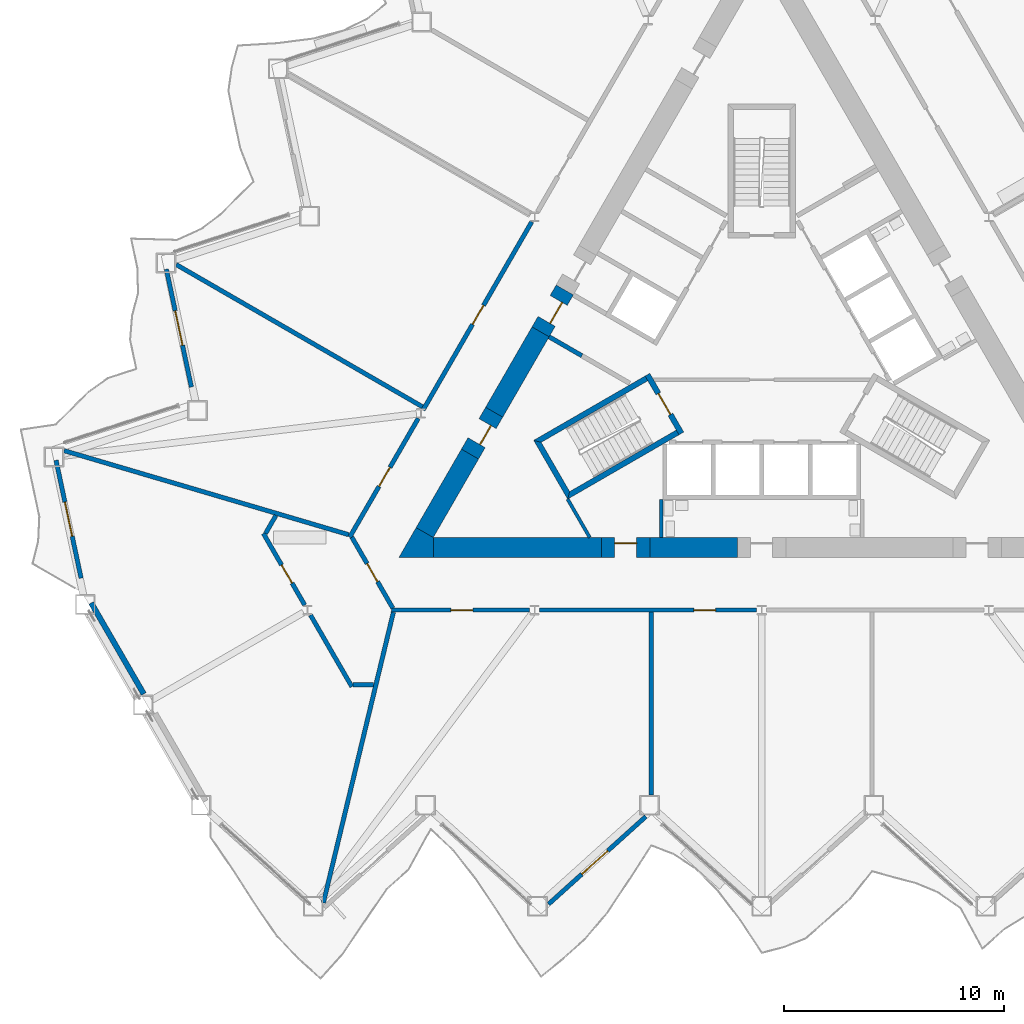
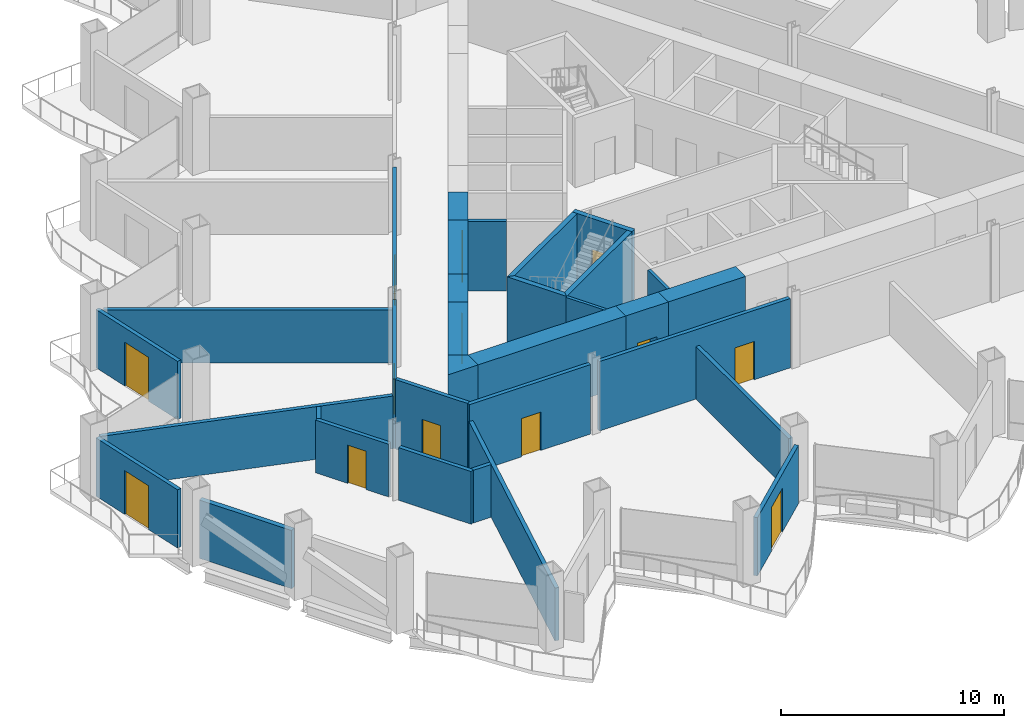
# One storey, part 10 of 21: 32 walls, 13 doors, 13 openings.
"""IFC4 building model written with IfcOpenShell, lengths in metres."""

from ifc_helpers import new_model, si_unit, direction, frame, frame_2d, origin, place, context, subcontext, project, spatial, polyline, rectangle, outline, extrude, material, layer, layer_set, type_object, element, fill, save


model = new_model("IFC4")

# Units and contexts
model_context = context("Model", 3, precision=1e-05, world=origin(), true_north=direction((0.0, 1.0)))
body_context = subcontext(model_context, "Body", "Model", "MODEL_VIEW")
ifc_project = project(units=[si_unit("LENGTHUNIT", "METRE"), si_unit("AREAUNIT", "SQUARE_METRE"), si_unit("VOLUMEUNIT", "CUBIC_METRE"), si_unit("PLANEANGLEUNIT", "RADIAN"), si_unit("MASSUNIT", "GRAM", prefix="KILO")], contexts=[model_context])

# Site, building, storey
site_placement = place(None, origin())
site = spatial("IfcSite", under=ifc_project, at=site_placement, CompositionType="ELEMENT")
building_placement = place(site_placement, origin())
building = spatial("IfcBuilding", under=site, at=building_placement, Name="Cormorant Prow Tower", CompositionType="ELEMENT")
storey_placement = place(building_placement, frame((0.0, 0.0, 116.39990234375)))
storey = spatial("IfcBuildingStorey", under=building, at=storey_placement, Name="L24", CompositionType="ELEMENT", Elevation=116.39990234375)

# Walls
ifc_material_1 = material(Name="Gypsum board partition")
ifc_layer_1 = layer(ifc_material_1, 0.14990234375)
ifc_layer_set_1 = layer_set([ifc_layer_1], Name="Gypsum board partition")
wall_type_1 = type_object("IfcWallType", Name="Core partition 150", PredefinedType="PARTITIONING", material=ifc_layer_set_1)
wall_1_placement = place(storey_placement, frame((-4.574951171875, -6.906005859375, 0.0), z_axis=(0.0, 0.0, 1.0), x_axis=(0.0, -1.0, 0.0)))
element("IfcWall", 1, at=wall_1_placement, inside=storey, type_object=wall_type_1, Name="Service room partition", PredefinedType="PARTITIONING", context=body_context, shape_type="SweptSolid", body=[
    extrude(rectangle(XDim=1.72021484375, YDim=0.14990234375, at=frame_2d((0.860107421875, 0.0))), origin(), (0.0, 0.0, 1.0), 3.800048828125),
])
wall_2_placement = place(storey_placement, frame((-8.82958984375, -6.880615234375, 0.0), z_axis=(0.0, 0.0, 1.0), x_axis=(0.500085890408, -0.865975809255, 0.0)))
element("IfcWall", 2, at=wall_2_placement, inside=storey, type_object=wall_type_1, Name="Service room partition", PredefinedType="PARTITIONING", context=body_context, shape_type="SweptSolid", body=[
    extrude(rectangle(XDim=2.015869140625, YDim=0.14990234375, at=frame_2d((1.0078125, 0.0))), origin(), (0.0, 0.0, 1.0), 3.800048828125),
])
ifc_material_2 = material(Name="Concrete 8000 psi", Category="concrete")
ifc_layer_2 = layer(ifc_material_2, 0.89990234375)
ifc_layer_set_2 = layer_set([ifc_layer_2], Name="Concrete 8000 psi")
wall_type_2 = type_object("IfcWallType", Name="Core shear wall 900", PredefinedType="SHEAR", material=ifc_layer_set_2)
wall_3_placement = place(storey_placement, frame((-14.941162109375, -9.076416015625, 0.0), z_axis=(0.0, 0.0, 1.0), x_axis=(1.0, 0.0, 0.0)))
element("IfcWall", 3, at=wall_3_placement, inside=storey, type_object=wall_type_2, Name="Core wall", PredefinedType="SHEAR", context=body_context, shape_type="SweptSolid", body=[
    extrude(rectangle(XDim=7.648681640625, YDim=0.89990234375, at=frame_2d((3.82421875, 0.0))), origin(), (0.0, 0.0, 1.0), 3.800048828125),
])
wall_4_placement = place(storey_placement, frame((-5.092529296875, -9.076416015625, 0.0), z_axis=(0.0, 0.0, 1.0), x_axis=(1.0, 0.0, 0.0)))
element("IfcWall", 4, at=wall_4_placement, inside=storey, type_object=wall_type_2, Name="Core wall", PredefinedType="SHEAR", context=body_context, shape_type="SweptSolid", body=[
    extrude(rectangle(XDim=3.992431640625, YDim=0.89990234375, at=frame_2d((1.99609375, 0.0))), origin(), (0.0, 0.0, 1.0), 3.800048828125),
])
wall_5_placement = place(storey_placement, frame((-10.060302734375, 0.7275390625, 0.0), z_axis=(0.0, 0.0, 1.0), x_axis=(-0.500021220092, -0.866013152012, 0.0)))
element("IfcWall", 5, at=wall_5_placement, inside=storey, type_object=wall_type_2, Name="Core wall", PredefinedType="SHEAR", context=body_context, shape_type="SweptSolid", body=[
    extrude(rectangle(XDim=4.220458984375, YDim=0.89990234375, at=frame_2d((2.1103515625, 0.0))), origin(), (0.0, 0.0, 1.0), 3.800048828125),
])
wall_6_placement = place(storey_placement, frame((-13.2705078125, -4.832763671875, 0.0), z_axis=(0.0, 0.0, 1.0), x_axis=(-0.499994272862, -0.866028710324, 0.0)))
element("IfcWall", 6, at=wall_6_placement, inside=storey, type_object=wall_type_2, Name="Core wall", PredefinedType="SHEAR", context=body_context, shape_type="SweptSolid", body=[
    extrude(rectangle(XDim=4.12060546875, YDim=0.89990234375, at=frame_2d((2.060302734375, 0.0))), origin(), (0.0, 0.0, 1.0), 3.800048828125),
])
wall_7_placement = place(storey_placement, origin())
element("IfcWall", 7, at=wall_7_placement, inside=storey, type_object=wall_type_2, Name="Core wall corner", PredefinedType="SHEAR", context=body_context, shape_type="SweptSolid", body=[
    extrude(outline(polyline([(-14.941162109375, -8.626220703125), (-14.941162109375, -9.5263671875), (-16.5, -9.5263671875), (-15.720703125, -8.17626953125), (-14.941162109375, -8.626220703125)])), origin(), (0.0, 0.0, 1.0), 3.800048828125),
])

# Wall, opening, door
wall_8_placement = place(storey_placement, frame((-12.170654296875, -2.927490234375, 0.0), z_axis=(0.0, 0.0, 1.0), x_axis=(-0.499946605688, -0.86605622881, 0.0)))
wall_8 = element("IfcWall", 8, at=wall_8_placement, inside=storey, type_object=wall_type_2, Name="Core wall door panel", PredefinedType="SHEAR", context=body_context, shape_type="SweptSolid", body=[
    extrude(rectangle(XDim=2.199951171875, YDim=0.89990234375, at=frame_2d((1.10009765625, 0.0))), origin(), (0.0, 0.0, 1.0), 3.800048828125),
])
opening_1_placement = place(wall_8_placement, frame((0.60009765625, 0.0, 0.0)))
opening_1 = element("IfcOpeningElement", 9, at=opening_1_placement, cuts=wall_8, Name="Opening L24-C17", PredefinedType="OPENING", context=body_context, shape_type="SweptSolid", body=[
    extrude(rectangle(XDim=1.0, YDim=2.10009765625, at=frame_2d((0.5, 1.050048828125))), frame((0.0, 0.4599609375, 0.0), z_axis=(0.0, -1.0, 0.0), x_axis=(1.0, 0.0, 0.0)), (0.0, 0.0, 1.0), 0.919921875),
])
ifc_material_3 = material(Name="Painted steel", Category="steel")
door_type_1 = type_object("IfcDoorType", Name="Service door 1000x2100", OperationType="NOTDEFINED", PredefinedType="DOOR", material=ifc_material_3)
door_1_placement = place(opening_1_placement, origin())
door_1 = element("IfcDoor", 10, at=door_1_placement, inside=storey, type_object=door_type_1, Name="Core door, Mechanical riser room", OperationType="SINGLE_SWING_LEFT", OverallHeight=2.10009765625, OverallWidth=1.0, PredefinedType="DOOR", context=body_context, shape_type="SweptSolid", body=[
    extrude(rectangle(XDim=1.0, YDim=2.10009765625, at=frame_2d((0.5, 1.050048828125))), frame((0.0, 0.205078125, 0.0), z_axis=(0.0, -1.0, 0.0), x_axis=(1.0, 0.0, 0.0)), (0.0, 0.0, 1.0), 0.050048828125),
])
fill(opening_1, door_1)

wall_9_placement = place(storey_placement, frame((-7.29248046875, -9.076416015625, 0.0), z_axis=(0.0, 0.0, 1.0), x_axis=(1.0, 0.0, 0.0)))
wall_9 = element("IfcWall", 11, at=wall_9_placement, inside=storey, type_object=wall_type_2, Name="Core wall door panel", PredefinedType="SHEAR", context=body_context, shape_type="SweptSolid", body=[
    extrude(rectangle(XDim=2.199951171875, YDim=0.89990234375, at=frame_2d((1.10009765625, 0.0))), origin(), (0.0, 0.0, 1.0), 3.800048828125),
])
opening_2_placement = place(wall_9_placement, frame((0.60009765625, 0.0, 0.0)))
opening_2 = element("IfcOpeningElement", 12, at=opening_2_placement, cuts=wall_9, Name="Opening L24-C21", PredefinedType="OPENING", context=body_context, shape_type="SweptSolid", body=[
    extrude(rectangle(XDim=1.0, YDim=2.10009765625, at=frame_2d((0.5, 1.050048828125))), frame((0.0, 0.4599609375, 0.0), z_axis=(0.0, -1.0, 0.0), x_axis=(1.0, 0.0, 0.0)), (0.0, 0.0, 1.0), 0.919921875),
])
door_2_placement = place(opening_2_placement, origin())
door_2 = element("IfcDoor", 13, at=door_2_placement, inside=storey, type_object=door_type_1, Name="Core door, Mechanical riser room", OperationType="SINGLE_SWING_LEFT", OverallHeight=2.10009765625, OverallWidth=1.0, PredefinedType="DOOR", context=body_context, shape_type="SweptSolid", body=[
    extrude(rectangle(XDim=1.0, YDim=2.10009765625, at=frame_2d((0.5, 1.050048828125))), frame((0.0, 0.205078125, 0.0), z_axis=(0.0, -1.0, 0.0), x_axis=(1.0, 0.0, 0.0)), (0.0, 0.0, 1.0), 0.050048828125),
])
fill(opening_2, door_2)

wall_10_placement = place(storey_placement, frame((-8.960205078125, 2.6328125, 0.0), z_axis=(0.0, 0.0, 1.0), x_axis=(-0.50002983664, -0.866008176907, 0.0)))
wall_10 = element("IfcWall", 14, at=wall_10_placement, inside=storey, type_object=wall_type_2, Name="Core wall door panel", PredefinedType="SHEAR", context=body_context, shape_type="SweptSolid", body=[
    extrude(rectangle(XDim=2.199951171875, YDim=0.89990234375, at=frame_2d((1.10009765625, 0.0))), origin(), (0.0, 0.0, 1.0), 3.800048828125),
])
opening_3_placement = place(wall_10_placement, frame((0.550048828125, 0.0, 0.0)))
opening_3 = element("IfcOpeningElement", 15, at=opening_3_placement, cuts=wall_10, Name="Opening L24-C22", PredefinedType="OPENING", context=body_context, shape_type="SweptSolid", body=[
    extrude(rectangle(XDim=1.10009765625, YDim=2.10009765625, at=frame_2d((0.550048828125, 1.050048828125))), frame((0.0, 0.4599609375, 0.0), z_axis=(0.0, -1.0, 0.0), x_axis=(1.0, 0.0, 0.0)), (0.0, 0.0, 1.0), 0.919921875),
])
ifc_material_4 = material(Name="Painted steel", Category="steel")
door_type_2 = type_object("IfcDoorType", Name="Core door 1100x2100", OperationType="NOTDEFINED", PredefinedType="DOOR", material=ifc_material_4)
door_3_placement = place(opening_3_placement, origin())
door_3 = element("IfcDoor", 16, at=door_3_placement, inside=storey, type_object=door_type_2, Name="Core door, lift lobby", OperationType="SINGLE_SWING_LEFT", OverallHeight=2.10009765625, OverallWidth=1.10009765625, PredefinedType="DOOR", context=body_context, shape_type="SweptSolid", body=[
    extrude(rectangle(XDim=1.10009765625, YDim=2.10009765625, at=frame_2d((0.550048828125, 1.050048828125))), frame((0.0, 0.205078125, 0.0), z_axis=(0.0, -1.0, 0.0), x_axis=(1.0, 0.0, 0.0)), (0.0, 0.0, 1.0), 0.050048828125),
])
fill(opening_3, door_3)

ifc_material_5 = material(Name="Gypsum board corridor wall")
ifc_layer_3 = layer(ifc_material_5, 0.199951171875)
ifc_layer_set_3 = layer_set([ifc_layer_3], Name="Gypsum board corridor wall")
wall_type_3 = type_object("IfcWallType", Name="Corridor wall 200", PredefinedType="PARTITIONING", material=ifc_layer_set_3)
wall_11_placement = place(storey_placement, frame((-10.10107421875, -11.92626953125, 0.0), z_axis=(0.0, 0.0, 1.0), x_axis=(1.0, 0.0, 0.0)))
wall_11 = element("IfcWall", 17, at=wall_11_placement, inside=storey, type_object=wall_type_3, Name="Corridor wall", PredefinedType="PARTITIONING", context=body_context, shape_type="SweptSolid", body=[
    extrude(rectangle(XDim=9.873779296875, YDim=0.199951171875, at=frame_2d((4.93701171875, 0.0))), origin(), (0.0, 0.0, 1.0), 3.800048828125),
])
opening_4_placement = place(wall_11_placement, frame((7.009521484375, 0.0, 0.0)))
opening_4 = element("IfcOpeningElement", 18, at=opening_4_placement, cuts=wall_11, Name="Opening L24-F02", PredefinedType="OPENING", context=body_context, shape_type="SweptSolid", body=[
    extrude(rectangle(XDim=1.0, YDim=2.10009765625, at=frame_2d((0.5, 1.050048828125))), frame((0.0, 0.10986328125, 0.0), z_axis=(0.0, -1.0, 0.0), x_axis=(1.0, 0.0, 0.0)), (0.0, 0.0, 1.0), 0.219970703125),
])
ifc_material_6 = material(Name="Timber door leaf", Category="wood")
door_type_3 = type_object("IfcDoorType", Name="Office door 1000x2100", OperationType="NOTDEFINED", PredefinedType="DOOR", material=ifc_material_6)
door_4_placement = place(opening_4_placement, origin())
door_4 = element("IfcDoor", 19, at=door_4_placement, inside=storey, type_object=door_type_3, Name="Co-working room door", OperationType="SINGLE_SWING_LEFT", OverallHeight=2.10009765625, OverallWidth=1.0, PredefinedType="DOOR", context=body_context, shape_type="SweptSolid", body=[
    extrude(rectangle(XDim=1.0, YDim=2.10009765625, at=frame_2d((0.5, 1.050048828125))), frame((0.0, 0.02490234375, 0.0), z_axis=(0.0, -1.0, 0.0), x_axis=(1.0, 0.0, 0.0)), (0.0, 0.0, 1.0), 0.050048828125),
])
fill(opening_4, door_4)

wall_12_placement = place(storey_placement, frame((-15.401611328125, -2.823486328125, 0.0), z_axis=(0.0, 0.0, 1.0), x_axis=(0.500023237168, 0.866011987384, 0.0)))
wall_12 = element("IfcWall", 20, at=wall_12_placement, inside=storey, type_object=wall_type_3, Name="Corridor wall", PredefinedType="PARTITIONING", context=body_context, shape_type="SweptSolid", body=[
    extrude(rectangle(XDim=9.88330078125, YDim=0.199951171875, at=frame_2d((4.941650390625, 0.0))), origin(), (0.0, 0.0, 1.0), 3.800048828125),
])
opening_5_placement = place(wall_12_placement, frame((4.4921875, 0.0, 0.0)))
opening_5 = element("IfcOpeningElement", 21, at=opening_5_placement, cuts=wall_12, Name="Opening L24-F11", PredefinedType="OPENING", context=body_context, shape_type="SweptSolid", body=[
    extrude(rectangle(XDim=1.0, YDim=2.10009765625, at=frame_2d((0.5, 1.050048828125))), frame((0.0, 0.10986328125, 0.0), z_axis=(0.0, -1.0, 0.0), x_axis=(1.0, 0.0, 0.0)), (0.0, 0.0, 1.0), 0.219970703125),
])
door_5_placement = place(opening_5_placement, origin())
door_5 = element("IfcDoor", 22, at=door_5_placement, inside=storey, type_object=door_type_3, Name="Open-plan office door", OperationType="SINGLE_SWING_LEFT", OverallHeight=2.10009765625, OverallWidth=1.0, PredefinedType="DOOR", context=body_context, shape_type="SweptSolid", body=[
    extrude(rectangle(XDim=1.0, YDim=2.10009765625, at=frame_2d((0.5, 1.050048828125))), frame((0.0, 0.02490234375, 0.0), z_axis=(0.0, -1.0, 0.0), x_axis=(1.0, 0.0, 0.0)), (0.0, 0.0, 1.0), 0.050048828125),
])
fill(opening_5, door_5)

wall_13_placement = place(storey_placement, frame((-16.830810546875, -11.92626953125, 0.0), z_axis=(0.0, 0.0, 1.0), x_axis=(1.0, 0.0, 0.0)))
wall_13 = element("IfcWall", 23, at=wall_13_placement, inside=storey, type_object=wall_type_3, Name="Corridor wall", PredefinedType="PARTITIONING", context=body_context, shape_type="SweptSolid", body=[
    extrude(rectangle(XDim=6.27490234375, YDim=0.199951171875, at=frame_2d((3.137451171875, 0.0))), origin(), (0.0, 0.0, 1.0), 3.800048828125),
])
opening_6_placement = place(wall_13_placement, frame((2.688232421875, 0.0, 0.0)))
opening_6 = element("IfcOpeningElement", 24, at=opening_6_placement, cuts=wall_13, Name="Opening L24-F01", PredefinedType="OPENING", context=body_context, shape_type="SweptSolid", body=[
    extrude(rectangle(XDim=1.0, YDim=2.10009765625, at=frame_2d((0.5, 1.050048828125))), frame((0.0, 0.10986328125, 0.0), z_axis=(0.0, -1.0, 0.0), x_axis=(1.0, 0.0, 0.0)), (0.0, 0.0, 1.0), 0.219970703125),
])
door_6_placement = place(opening_6_placement, origin())
door_6 = element("IfcDoor", 25, at=door_6_placement, inside=storey, type_object=door_type_3, Name="Tenant suite door", OperationType="SINGLE_SWING_LEFT", OverallHeight=2.10009765625, OverallWidth=1.0, PredefinedType="DOOR", context=body_context, shape_type="SweptSolid", body=[
    extrude(rectangle(XDim=1.0, YDim=2.10009765625, at=frame_2d((0.5, 1.050048828125))), frame((0.0, 0.02490234375, 0.0), z_axis=(0.0, -1.0, 0.0), x_axis=(1.0, 0.0, 0.0)), (0.0, 0.0, 1.0), 0.050048828125),
])
fill(opening_6, door_6)

wall_14_placement = place(storey_placement, frame((-18.743896484375, -8.61279296875, 0.0), z_axis=(0.0, 0.0, 1.0), x_axis=(0.499997920671, 0.866026604282, 0.0)))
wall_14 = element("IfcWall", 26, at=wall_14_placement, inside=storey, type_object=wall_type_3, Name="Corridor wall", PredefinedType="PARTITIONING", context=body_context, shape_type="SweptSolid", body=[
    extrude(rectangle(XDim=6.23974609375, YDim=0.199951171875, at=frame_2d((3.119873046875, 0.0))), origin(), (0.0, 0.0, 1.0), 3.800048828125),
])
opening_7_placement = place(wall_14_placement, frame((2.67041015625, 0.0, 0.0)))
opening_7 = element("IfcOpeningElement", 27, at=opening_7_placement, cuts=wall_14, Name="Opening L24-F12", PredefinedType="OPENING", context=body_context, shape_type="SweptSolid", body=[
    extrude(rectangle(XDim=1.0, YDim=2.10009765625, at=frame_2d((0.5, 1.050048828125))), frame((0.0, 0.10986328125, 0.0), z_axis=(0.0, -1.0, 0.0), x_axis=(1.0, 0.0, 0.0)), (0.0, 0.0, 1.0), 0.219970703125),
])
door_7_placement = place(opening_7_placement, origin())
door_7 = element("IfcDoor", 28, at=door_7_placement, inside=storey, type_object=door_type_3, Name="Tenant suite door", OperationType="SINGLE_SWING_LEFT", OverallHeight=2.10009765625, OverallWidth=1.0, PredefinedType="DOOR", context=body_context, shape_type="SweptSolid", body=[
    extrude(rectangle(XDim=1.0, YDim=2.10009765625, at=frame_2d((0.5, 1.050048828125))), frame((0.0, 0.02490234375, 0.0), z_axis=(0.0, -1.0, 0.0), x_axis=(1.0, 0.0, 0.0)), (0.0, 0.0, 1.0), 0.050048828125),
])
fill(opening_7, door_7)

wall_15_placement = place(storey_placement, frame((-18.643798828125, -8.61279296875, 0.0), z_axis=(0.0, 0.0, 1.0), x_axis=(0.499958791762, -0.866049194065, 0.0)))
wall_15 = element("IfcWall", 29, at=wall_15_placement, inside=storey, type_object=wall_type_3, Name="Corridor wall", PredefinedType="PARTITIONING", context=body_context, shape_type="SweptSolid", body=[
    extrude(rectangle(XDim=3.725830078125, YDim=0.199951171875, at=frame_2d((1.86279296875, 0.0))), origin(), (0.0, 0.0, 1.0), 3.800048828125),
])
opening_8_placement = place(wall_15_placement, frame((1.387939453125, 0.0, 0.0)))
opening_8 = element("IfcOpeningElement", 30, at=opening_8_placement, cuts=wall_15, Name="Opening L24-F13", PredefinedType="OPENING", context=body_context, shape_type="SweptSolid", body=[
    extrude(rectangle(XDim=0.949951171875, YDim=2.10009765625, at=frame_2d((0.47509765625, 1.050048828125))), frame((0.0, 0.10986328125, 0.0), z_axis=(0.0, -1.0, 0.0), x_axis=(1.0, 0.0, 0.0)), (0.0, 0.0, 1.0), 0.219970703125),
])
ifc_material_7 = material(Name="Timber door leaf", Category="wood")
door_type_4 = type_object("IfcDoorType", Name="Store door 950x2100", OperationType="NOTDEFINED", PredefinedType="DOOR", material=ifc_material_7)
door_8_placement = place(opening_8_placement, origin())
door_8 = element("IfcDoor", 31, at=door_8_placement, inside=storey, type_object=door_type_4, Name="Tea point and pantry door", OperationType="SINGLE_SWING_LEFT", OverallHeight=2.10009765625, OverallWidth=0.949951171875, PredefinedType="DOOR", context=body_context, shape_type="SweptSolid", body=[
    extrude(rectangle(XDim=0.949951171875, YDim=2.10009765625, at=frame_2d((0.47509765625, 1.050048828125))), frame((0.0, 0.02490234375, 0.0), z_axis=(0.0, -1.0, 0.0), x_axis=(1.0, 0.0, 0.0)), (0.0, 0.0, 1.0), 0.050048828125),
])
fill(opening_8, door_8)

# Walls
ifc_material_8 = material(Name="Gypsum board demising wall")
ifc_layer_4 = layer(ifc_material_8, 0.199951171875)
ifc_layer_set_4 = layer_set([ifc_layer_4], Name="Gypsum board demising wall")
wall_type_4 = type_object("IfcWallType", Name="Demising wall 200", PredefinedType="PARTITIONING", material=ifc_layer_set_4)
wall_16_placement = place(storey_placement, frame((-19.939697265625, -25.244384765625, 0.0), z_axis=(0.0, 0.0, 1.0), x_axis=(0.234226353532, 0.972182089586, 0.0)))
element("IfcWall", 32, at=wall_16_placement, inside=storey, type_object=wall_type_4, Name="Demising wall", PredefinedType="PARTITIONING", context=body_context, shape_type="SweptSolid", body=[
    extrude(rectangle(XDim=13.599365234375, YDim=0.199951171875, at=frame_2d((6.7998046875, 0.0))), origin(), (0.0, 0.0, 1.0), 2.885498046875),
])
wall_17_placement = place(storey_placement, frame((-31.736083984375, -4.674560546875, 0.0), z_axis=(0.0, 0.0, 1.0), x_axis=(0.959053889024, -0.283223653581, 0.0)))
element("IfcWall", 33, at=wall_17_placement, inside=storey, type_object=wall_type_4, Name="Demising wall", PredefinedType="PARTITIONING", context=body_context, shape_type="SweptSolid", body=[
    extrude(rectangle(XDim=13.4990234375, YDim=0.199951171875, at=frame_2d((6.74951171875, 0.0))), origin(), (0.0, 0.0, 1.0), 2.885498046875),
])
wall_18_placement = place(storey_placement, frame((-26.63623046875, 3.789794921875, 0.0), z_axis=(0.0, 0.0, 1.0), x_axis=(0.866029074283, -0.499993642455, 0.0)))
element("IfcWall", 34, at=wall_18_placement, inside=storey, type_object=wall_type_4, Name="Demising wall", PredefinedType="PARTITIONING", context=body_context, shape_type="SweptSolid", body=[
    extrude(rectangle(XDim=12.936279296875, YDim=0.199951171875, at=frame_2d((6.46826171875, 0.0))), origin(), (0.0, 0.0, 1.0), 2.885498046875),
])
wall_19_placement = place(storey_placement, frame((-5.01806640625, -20.34716796875, 0.0), z_axis=(0.0, 0.0, 1.0), x_axis=(0.0, 1.0, 0.0)))
element("IfcWall", 35, at=wall_19_placement, inside=storey, type_object=wall_type_4, Name="Demising wall", PredefinedType="PARTITIONING", context=body_context, shape_type="SweptSolid", body=[
    extrude(rectangle(XDim=8.32080078125, YDim=0.199951171875, at=frame_2d((4.160400390625, 0.0))), origin(), (0.0, 0.0, 1.0), 2.885498046875),
])
wall_20_placement = place(storey_placement, frame((-20.525634765625, -12.15380859375, 0.0), z_axis=(0.0, 0.0, 1.0), x_axis=(0.500046282919, -0.86599868068, 0.0)))
element("IfcWall", 36, at=wall_20_placement, inside=storey, type_object=wall_type_4, Name="Demising wall", PredefinedType="PARTITIONING", context=body_context, shape_type="SweptSolid", body=[
    extrude(rectangle(XDim=3.763427734375, YDim=0.199951171875, at=frame_2d((1.8818359375, 0.0))), origin(), (0.0, 0.0, 1.0), 2.885498046875),
])

# Wall, opening, door
wall_21_placement = place(storey_placement, frame((-22.669921875, -8.439697265625, 0.0), z_axis=(0.0, 0.0, 1.0), x_axis=(0.500018191375, -0.866014900734, 0.0)))
wall_21 = element("IfcWall", 37, at=wall_21_placement, inside=storey, type_object=wall_type_4, Name="Demising wall", PredefinedType="PARTITIONING", context=body_context, shape_type="SweptSolid", body=[
    extrude(rectangle(XDim=3.763427734375, YDim=0.199951171875, at=frame_2d((1.8818359375, 0.0))), origin(), (0.0, 0.0, 1.0), 2.885498046875),
])
opening_9_placement = place(wall_21_placement, frame((1.658203125, 0.0, 0.0)))
opening_9 = element("IfcOpeningElement", 38, at=opening_9_placement, cuts=wall_21, Name="Opening L24-F14", PredefinedType="OPENING", context=body_context, shape_type="SweptSolid", body=[
    extrude(rectangle(XDim=0.949951171875, YDim=2.10009765625, at=frame_2d((0.47509765625, 1.050048828125))), frame((0.0, 0.10986328125, 0.0), z_axis=(0.0, -1.0, 0.0), x_axis=(1.0, 0.0, 0.0)), (0.0, 0.0, 1.0), 0.219970703125),
])
door_9_placement = place(opening_9_placement, origin())
door_9 = element("IfcDoor", 39, at=door_9_placement, inside=storey, type_object=door_type_4, Name="Print and copy room door", OperationType="SINGLE_SWING_RIGHT", OverallHeight=2.10009765625, OverallWidth=0.949951171875, PredefinedType="DOOR", context=body_context, shape_type="SweptSolid", body=[
    extrude(rectangle(XDim=0.949951171875, YDim=2.10009765625, at=frame_2d((0.47509765625, 1.050048828125))), frame((0.0, 0.02490234375, 0.0), z_axis=(0.0, -1.0, 0.0), x_axis=(1.0, 0.0, 0.0)), (0.0, 0.0, 1.0), 0.050048828125),
])
fill(opening_9, door_9)

# Walls
for number, where, z_axis, x_axis, name in (
    (40, (-18.593994140625, -15.326416015625, 0.0), (0.0, 0.0, 1.0), (1.0, 0.0, 0.0), "Demising wall"),
    (41, (-22.56982421875, -8.439697265625, 0.0), (0.0, 0.0, 1.0), (0.500006071987, 0.866021898093, 0.0), "Demising wall"),
):
    element("IfcWall", number, at=place(storey_placement, frame(where, z_axis=z_axis, x_axis=x_axis)), inside=storey, type_object=wall_type_4, Name=name, PredefinedType="PARTITIONING", context=body_context, shape_type="SweptSolid", body=[
        extrude(rectangle(XDim=0.94384765625, YDim=0.199951171875, at=frame_2d((0.471923828125, 0.0))), origin(), (0.0, 0.0, 1.0), 2.885498046875),
    ])
ifc_material_9 = material(Name="Concrete 8000 psi", Category="concrete")
ifc_layer_5 = layer(ifc_material_9, 0.199951171875)
ifc_layer_set_5 = layer_set([ifc_layer_5], Name="Concrete 8000 psi")
wall_type_5 = type_object("IfcWallType", Name="Lift shaft wall 200", PredefinedType="SHEAR", material=ifc_layer_set_5)
wall_22_placement = place(storey_placement, frame((-8.180908203125, -0.357421875, 0.0), z_axis=(0.0, 0.0, 1.0), x_axis=(-0.866024871741, 0.500000921525, 0.0)))
element("IfcWall", 42, at=wall_22_placement, inside=storey, type_object=wall_type_5, Name="Lobby passage wall", PredefinedType="SHEAR", context=body_context, shape_type="SweptSolid", body=[
    extrude(rectangle(XDim=1.72021484375, YDim=0.199951171875, at=frame_2d((0.860107421875, 0.0))), origin(), (0.0, 0.0, 1.0), 3.800048828125),
])
ifc_material_10 = material(Name="Concrete 8000 psi", Category="concrete")
ifc_layer_6 = layer(ifc_material_10, 0.25)
ifc_layer_set_6 = layer_set([ifc_layer_6], Name="Concrete 8000 psi")
wall_type_6 = type_object("IfcWallType", Name="Stair wall 250", PredefinedType="SHEAR", material=ifc_layer_set_6)
wall_23_placement = place(storey_placement, origin())
element("IfcWall", 43, at=wall_23_placement, inside=storey, type_object=wall_type_6, Name="Stair ST1 enclosure wall (flank)", PredefinedType="SHEAR", context=body_context, shape_type="SweptSolid", body=[
    extrude(outline(polyline([(-5.30712890625, -1.28125), (-10.37353515625, -4.206298828125), (-10.031982421875, -4.2978515625), (-5.18212890625, -1.497802734375), (-5.30712890625, -1.28125)])), origin(), (0.0, 0.0, 1.0), 3.800048828125),
])
wall_24_placement = place(storey_placement, origin())
element("IfcWall", 44, at=wall_24_placement, inside=storey, type_object=wall_type_6, Name="Stair ST1 enclosure wall (end)", PredefinedType="SHEAR", context=body_context, shape_type="SweptSolid", body=[
    extrude(outline(polyline([(-10.37353515625, -4.206298828125), (-8.82958984375, -6.880615234375), (-8.738037109375, -6.5390625), (-10.031982421875, -4.2978515625), (-10.37353515625, -4.206298828125)])), origin(), (0.0, 0.0, 1.0), 3.800048828125),
])
wall_25_placement = place(storey_placement, origin())
element("IfcWall", 45, at=wall_25_placement, inside=storey, type_object=wall_type_6, Name="Stair ST1 enclosure wall (flank)", PredefinedType="SHEAR", context=body_context, shape_type="SweptSolid", body=[
    extrude(outline(polyline([(-8.738037109375, -6.5390625), (-8.82958984375, -6.880615234375), (-3.76318359375, -3.95556640625), (-3.88818359375, -3.739013671875), (-8.738037109375, -6.5390625)])), origin(), (0.0, 0.0, 1.0), 3.800048828125),
])

# Wall, opening, door
wall_26_placement = place(storey_placement, frame((-5.198974609375, -1.21875, 0.0), z_axis=(0.0, 0.0, 1.0), x_axis=(0.499982516597, -0.866035497597, 0.0)))
wall_26 = element("IfcWall", 46, at=wall_26_placement, inside=storey, type_object=wall_type_6, Name="Stair ST1 door wall", PredefinedType="SHEAR", context=body_context, shape_type="SweptSolid", body=[
    extrude(rectangle(XDim=3.087890625, YDim=0.25, at=frame_2d((1.5439453125, 0.0))), origin(), (0.0, 0.0, 1.0), 3.800048828125),
])
opening_10_placement = place(wall_26_placement, frame((0.993896484375, 0.0, 0.0)))
opening_10 = element("IfcOpeningElement", 47, at=opening_10_placement, cuts=wall_26, Name="Opening L24-C12", PredefinedType="OPENING", context=body_context, shape_type="SweptSolid", body=[
    extrude(rectangle(XDim=1.10009765625, YDim=2.10009765625, at=frame_2d((0.550048828125, 1.050048828125))), frame((0.0, 0.135009765625, 0.0), z_axis=(0.0, -1.0, 0.0), x_axis=(1.0, 0.0, 0.0)), (0.0, 0.0, 1.0), 0.27001953125),
])
ifc_material_11 = material(Name="Painted steel", Category="steel")
door_type_5 = type_object("IfcDoorType", Name="Stair door 1100x2100", OperationType="NOTDEFINED", PredefinedType="DOOR", material=ifc_material_11)
door_10_placement = place(opening_10_placement, origin())
door_10 = element("IfcDoor", 48, at=door_10_placement, inside=storey, type_object=door_type_5, Name="Stair ST1 door", OperationType="SINGLE_SWING_LEFT", OverallHeight=2.10009765625, OverallWidth=1.10009765625, PredefinedType="DOOR", context=body_context, shape_type="SweptSolid", body=[
    extrude(rectangle(XDim=1.10009765625, YDim=2.10009765625, at=frame_2d((0.550048828125, 1.050048828125))), frame((0.0, 0.02490234375, 0.0), z_axis=(0.0, -1.0, 0.0), x_axis=(1.0, 0.0, 0.0)), (0.0, 0.0, 1.0), 0.050048828125),
])
fill(opening_10, door_10)

# Wall
ifc_material_12 = material(Name="Terracotta", Category="masonry")
ifc_layer_7 = layer(ifc_material_12, 0.25)
ifc_layer_set_7 = layer_set([ifc_layer_7], Name="Terracotta")
wall_type_7 = type_object("IfcWallType", Name="Terracotta bay wall 250", PredefinedType="SOLIDWALL", material=ifc_layer_set_7)
wall_27_placement = place(storey_placement, frame((-30.50048828125, -11.604248046875, 0.0), z_axis=(0.0, 0.0, 1.0), x_axis=(0.499984810975, -0.866034172995, 0.0)))
element("IfcWall", 49, at=wall_27_placement, inside=storey, type_object=wall_type_7, Name="Terracotta bay wall WSW00", PredefinedType="SOLIDWALL", context=body_context, shape_type="SweptSolid", body=[
    extrude(rectangle(XDim=4.779541015625, YDim=0.25, at=frame_2d((2.3896484375, 0.0))), origin(), (0.0, 0.0, 1.0), 3.18896484375),
])

# Wall, opening, door
ifc_material_13 = material(Name="Terracotta", Category="masonry")
ifc_layer_8 = layer(ifc_material_13, 0.199951171875)
ifc_layer_set_8 = layer_set([ifc_layer_8], Name="Terracotta")
wall_type_8 = type_object("IfcWallType", Name="Terracotta jamb wall 200", PredefinedType="SOLIDWALL", material=ifc_layer_set_8)
wall_28_placement = place(storey_placement, frame((-9.6962890625, -25.30322265625, 0.0), z_axis=(0.0, 0.0, 1.0), x_axis=(0.743141307259, 0.669134513716, 0.0)))
wall_28 = element("IfcWall", 50, at=wall_28_placement, inside=storey, type_object=wall_type_8, Name="Terracotta jamb wall S03", PredefinedType="SOLIDWALL", context=body_context, shape_type="SweptSolid", body=[
    extrude(rectangle(XDim=5.957763671875, YDim=0.199951171875, at=frame_2d((2.97900390625, 0.0))), origin(), (0.0, 0.0, 1.0), 3.18896484375),
])
opening_11_placement = place(wall_28_placement, frame((2.029052734375, 0.0, 0.0)))
opening_11 = element("IfcOpeningElement", 51, at=opening_11_placement, cuts=wall_28, Name="Opening ED24.02", PredefinedType="OPENING", context=body_context, shape_type="SweptSolid", body=[
    extrude(rectangle(XDim=1.60009765625, YDim=2.39990234375, at=frame_2d((0.800048828125, 1.199951171875))), frame((0.0, 0.10986328125, 0.0), z_axis=(0.0, -1.0, 0.0), x_axis=(1.0, 0.0, 0.0)), (0.0, 0.0, 1.0), 0.219970703125),
])
ifc_material_14 = material(Name="Aluminium 6063-T6", Category="aluminium")
door_type_6 = type_object("IfcDoorType", Name="Balcony door 1600x2400", OperationType="DOUBLE_DOOR_SINGLE_SWING", PredefinedType="DOOR", material=ifc_material_14)
door_11_placement = place(opening_11_placement, origin())
door_11 = element("IfcDoor", 52, at=door_11_placement, inside=storey, type_object=door_type_6, Name="Balcony door S03 ED24.02", OperationType="DOUBLE_DOOR_SINGLE_SWING", OverallHeight=2.39990234375, OverallWidth=1.60009765625, PredefinedType="DOOR", context=body_context, shape_type="SweptSolid", body=[
    extrude(rectangle(XDim=1.60009765625, YDim=2.39990234375, at=frame_2d((0.800048828125, 1.199951171875))), frame((0.0, 0.02490234375, 0.0), z_axis=(0.0, -1.0, 0.0), x_axis=(1.0, 0.0, 0.0)), (0.0, 0.0, 1.0), 0.050048828125),
])
fill(opening_11, door_11)

wall_29_placement = place(storey_placement, frame((-27.082763671875, 3.5791015625, 0.0), z_axis=(0.0, 0.0, 1.0), x_axis=(0.207898180805, -0.978150472278, 0.0)))
wall_29 = element("IfcWall", 53, at=wall_29_placement, inside=storey, type_object=wall_type_8, Name="Terracotta jamb wall WNW07", PredefinedType="SOLIDWALL", context=body_context, shape_type="SweptSolid", body=[
    extrude(rectangle(XDim=5.48046875, YDim=0.199951171875, at=frame_2d((2.740234375, 0.0))), origin(), (0.0, 0.0, 1.0), 3.18896484375),
])
opening_12_placement = place(wall_29_placement, frame((1.940185546875, 0.0, 0.0)))
opening_12 = element("IfcOpeningElement", 54, at=opening_12_placement, cuts=wall_29, Name="Opening ED24.14", PredefinedType="OPENING", context=body_context, shape_type="SweptSolid", body=[
    extrude(rectangle(XDim=1.60009765625, YDim=2.39990234375, at=frame_2d((0.800048828125, 1.199951171875))), frame((0.0, 0.10986328125, 0.0), z_axis=(0.0, -1.0, 0.0), x_axis=(1.0, 0.0, 0.0)), (0.0, 0.0, 1.0), 0.219970703125),
])
door_12_placement = place(opening_12_placement, origin())
door_12 = element("IfcDoor", 55, at=door_12_placement, inside=storey, type_object=door_type_6, Name="Balcony door WNW07 ED24.14", OperationType="DOUBLE_DOOR_SINGLE_SWING", OverallHeight=2.39990234375, OverallWidth=1.60009765625, PredefinedType="DOOR", context=body_context, shape_type="SweptSolid", body=[
    extrude(rectangle(XDim=1.60009765625, YDim=2.39990234375, at=frame_2d((0.800048828125, 1.199951171875))), frame((0.0, 0.02490234375, 0.0), z_axis=(0.0, -1.0, 0.0), x_axis=(1.0, 0.0, 0.0)), (0.0, 0.0, 1.0), 0.050048828125),
])
fill(opening_12, door_12)

wall_30_placement = place(storey_placement, frame((-32.100830078125, -5.112548828125, 0.0), z_axis=(0.0, 0.0, 1.0), x_axis=(0.207949862117, -0.978139486395, 0.0)))
wall_30 = element("IfcWall", 56, at=wall_30_placement, inside=storey, type_object=wall_type_8, Name="Terracotta jamb wall WNW09", PredefinedType="SOLIDWALL", context=body_context, shape_type="SweptSolid", body=[
    extrude(rectangle(XDim=5.48046875, YDim=0.199951171875, at=frame_2d((2.740234375, 0.0))), origin(), (0.0, 0.0, 1.0), 3.18896484375),
])
opening_13_placement = place(wall_30_placement, frame((1.940185546875, 0.0, 0.0)))
opening_13 = element("IfcOpeningElement", 57, at=opening_13_placement, cuts=wall_30, Name="Opening ED24.15", PredefinedType="OPENING", context=body_context, shape_type="SweptSolid", body=[
    extrude(rectangle(XDim=1.60009765625, YDim=2.39990234375, at=frame_2d((0.800048828125, 1.199951171875))), frame((0.0, 0.10986328125, 0.0), z_axis=(0.0, -1.0, 0.0), x_axis=(1.0, 0.0, 0.0)), (0.0, 0.0, 1.0), 0.219970703125),
])
door_13_placement = place(opening_13_placement, origin())
door_13 = element("IfcDoor", 58, at=door_13_placement, inside=storey, type_object=door_type_6, Name="Balcony door WNW09 ED24.15", OperationType="DOUBLE_DOOR_SINGLE_SWING", OverallHeight=2.39990234375, OverallWidth=1.60009765625, PredefinedType="DOOR", context=body_context, shape_type="SweptSolid", body=[
    extrude(rectangle(XDim=1.60009765625, YDim=2.39990234375, at=frame_2d((0.800048828125, 1.199951171875))), frame((0.0, 0.02490234375, 0.0), z_axis=(0.0, -1.0, 0.0), x_axis=(1.0, 0.0, 0.0)), (0.0, 0.0, 1.0), 0.050048828125),
])
fill(opening_13, door_13)

save(model, "model.ifc")
